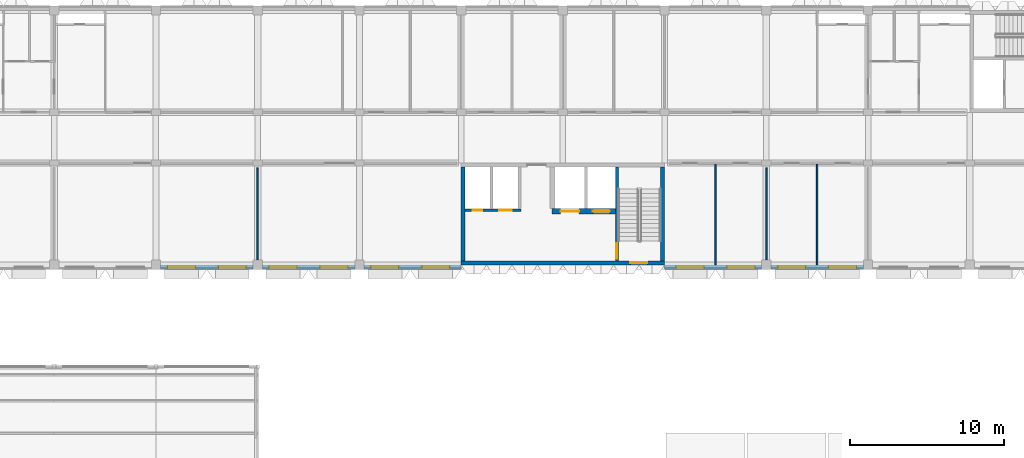
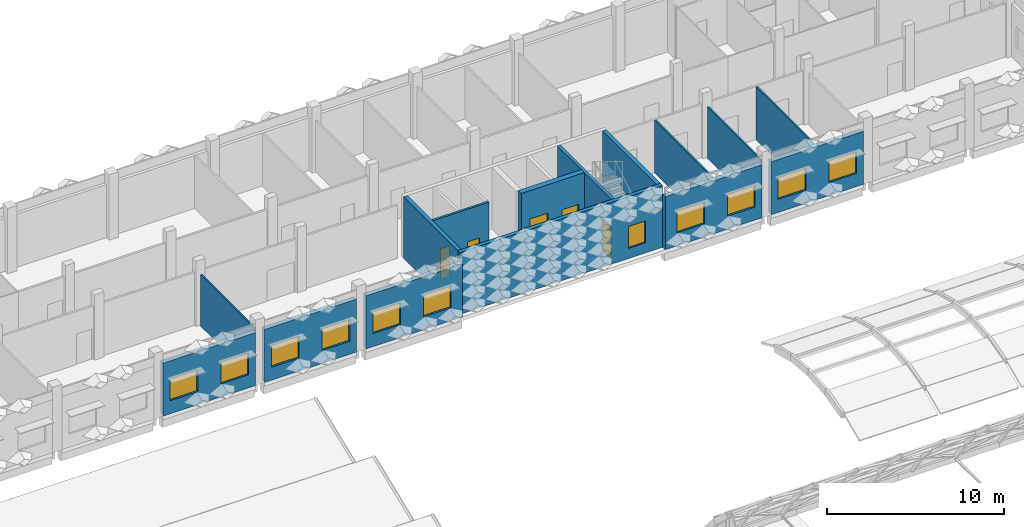
# One storey, part 57 of 109: 15 walls, 11 windows, 5 doors, 16 openings.
"""IFC4 building model written with IfcOpenShell, lengths in metres."""

import ifcopenshell
import ifcopenshell.guid

model = None  # the IFC model being written
_history = None  # IfcOwnerHistory: only IFC2X3 demands one
_inside = {}  # id of a spatial element -> (the spatial element, [elements in it])
_under = {}  # id of a project, library or spatial element -> (it, [spatial elements below it])
_declared = {}  # id of a project -> (the project, [libraries it declares])
_typed = {}  # id of a type object -> (the type object, [elements of that type])
_made_of = {}  # id of a material, layer set ... -> (it, [elements and type objects made of it])


def new_model(schema):
    """Start an empty IFC model of exactly this schema.

    Asked for "IFC4X3", IfcOpenShell would pick the latest addendum, in which some entities
    have other attributes; the version numbers below select the first issue.
    IFC2X3 requires an IfcOwnerHistory on every rooted entity: one is made here for all.
    """
    global model, _history
    if schema == "IFC4X3":
        model = ifcopenshell.file(schema_version=(4, 3, 0, 0))
    else:
        model = ifcopenshell.file(schema=schema)
    _inside.clear()
    _under.clear()
    _declared.clear()
    _typed.clear()
    _made_of.clear()
    _history = None
    if model.schema == "IFC2X3":
        org = make("IfcOrganization", Name="unknown")
        user = make(
            "IfcPersonAndOrganization",
            ThePerson=make("IfcPerson", FamilyName="unknown"),
            TheOrganization=org,
        )
        app = make(
            "IfcApplication",
            ApplicationDeveloper=org,
            Version="unknown",
            ApplicationFullName="unknown",
            ApplicationIdentifier="unknown",
        )
        _history = make(
            "IfcOwnerHistory",
            OwningUser=user,
            OwningApplication=app,
            ChangeAction="ADDED",
            CreationDate=0,
        )
    return model


def make(cls, **values):
    """One entity of the class cls with the attributes given. An attribute that is None is left unset."""
    return model.create_entity(
        cls, **{name: value for name, value in values.items() if value is not None}
    )


def rooted(cls, **values):
    """An entity with a GlobalId (a new one), such as an element, a storey or a relation."""
    return make(cls, GlobalId=ifcopenshell.guid.new(), OwnerHistory=_history, **values)


def si_unit(unit_type, name, prefix=None):
    """IfcSIUnit, for example si_unit("LENGTHUNIT", "METRE", prefix="MILLI")."""
    return make("IfcSIUnit", UnitType=unit_type, Prefix=prefix, Name=name)


def assignment(units):
    """IfcUnitAssignment: the units of a project."""
    return None if units is None else make("IfcUnitAssignment", Units=units)


def point(xyz):
    """IfcCartesianPoint."""
    return None if xyz is None else make("IfcCartesianPoint", Coordinates=xyz)


def direction(xyz):
    """IfcDirection."""
    return None if xyz is None else make("IfcDirection", DirectionRatios=xyz)


def frame(location, z_axis=None, x_axis=None):
    """IfcAxis2Placement3D, a coordinate frame: its origin and axes. An axis left out is left unset."""
    return make(
        "IfcAxis2Placement3D",
        Location=point(location),
        Axis=direction(z_axis),
        RefDirection=direction(x_axis),
    )


def frame_2d(location, x_axis=None):
    """IfcAxis2Placement2D, a coordinate frame in the plane: its origin and x axis."""
    return make(
        "IfcAxis2Placement2D", Location=point(location), RefDirection=direction(x_axis)
    )


def origin():
    """The frame at (0, 0, 0) with its axes left unset."""
    return frame((0.0, 0.0, 0.0))


def place(relative_to, where):
    """IfcLocalPlacement: puts the frame where relative to a parent placement (None: the world)."""
    return make(
        "IfcLocalPlacement", PlacementRelTo=relative_to, RelativePlacement=where
    )


def context(
    kind, dimensions, precision=None, world=None, true_north=None, identifier=None
):
    """IfcGeometricRepresentationContext, for example the 3D "Model" context."""
    return make(
        "IfcGeometricRepresentationContext",
        ContextIdentifier=identifier,
        ContextType=kind,
        CoordinateSpaceDimension=dimensions,
        Precision=precision,
        WorldCoordinateSystem=world,
        TrueNorth=true_north,
    )


def subcontext(parent, identifier, kind, view, scale=None):
    """IfcGeometricRepresentationSubContext, for example "Body" below "Model"."""
    return make(
        "IfcGeometricRepresentationSubContext",
        ContextIdentifier=identifier,
        ContextType=kind,
        ParentContext=parent,
        TargetScale=scale,
        TargetView=view,
    )


def project(units=None, contexts=None):
    """IfcProject with its units and contexts."""
    return rooted(
        "IfcProject",
        Name="project",
        RepresentationContexts=contexts,
        UnitsInContext=assignment(units),
    )


def spatial(cls, under=None, at=None, **own):
    """A site, building, storey or space (cls), placed at a placement, below another one or the project."""
    s = rooted(cls, ObjectPlacement=at, **own)
    if under is not None:
        _under.setdefault(under.id(), (under, []))[1].append(s)
    return s


def profile(cls, at=None, kind="AREA", **sizes):
    """A parametric profile (cls). Its sizes go by their IFC names, for example OverallWidth=200.0."""
    return make(cls, ProfileType=kind, Position=at, **sizes)


def rectangle(**sizes):
    """IfcRectangleProfileDef."""
    return profile("IfcRectangleProfileDef", **sizes)


def extrude(swept, where, along, depth):
    """IfcExtrudedAreaSolid: the profile swept, set in the frame where, extruded along a direction by depth."""
    return make(
        "IfcExtrudedAreaSolid",
        SweptArea=swept,
        Position=where,
        ExtrudedDirection=direction(along),
        Depth=depth,
    )


def shape(context_of_items, identifier, shape_type, items):
    """IfcShapeRepresentation: the items that make up one representation, for example the "Body"."""
    return make(
        "IfcShapeRepresentation",
        ContextOfItems=context_of_items,
        RepresentationIdentifier=identifier,
        RepresentationType=shape_type,
        Items=items,
    )


def material(Name=None, Category=None):
    """IfcMaterial."""
    return make("IfcMaterial", Name=Name, Category=Category)


def layer(
    of_material, thickness, ventilated=None, Name=None, Category=None, Priority=None
):
    """IfcMaterialLayer: one layer of a wall or slab, of a material (None: an air gap)."""
    return make(
        "IfcMaterialLayer",
        Material=of_material,
        LayerThickness=thickness,
        IsVentilated=ventilated,
        Name=Name,
        Category=Category,
        Priority=Priority,
    )


def layer_set(layers, Name=None):
    """IfcMaterialLayerSet."""
    return make("IfcMaterialLayerSet", MaterialLayers=layers, LayerSetName=Name)


def made_of(thing, what):
    """Note that an element or type object is made of a material, layer set ...; save() writes the relation."""
    if what is not None:
        _made_of.setdefault(what.id(), (what, []))[1].append(thing)
    return thing


def type_object(cls, material=None, **own):
    """A type object (cls), such as IfcWallType, which elements share."""
    return made_of(rooted(cls, **own), material)


def element(
    cls,
    number,
    at=None,
    inside=None,
    cuts=None,
    type_object=None,
    material=None,
    context=None,
    identifier="Body",
    shape_type=None,
    held_by="IfcProductDefinitionShape",
    body=None,
    shapes=None,
    **own,
):
    """One element of the class cls, such as IfcWall. Its Tag is "e" and its number.

    at: its placement. inside: the storey or other place that contains it. cuts: it is an
    opening in that element (IfcRelVoidsElement). A single representation is given by context,
    identifier, shape_type and body (its items); several are given by shapes. held_by: the class
    of the entity that holds the representations. save() writes the other relations.
    """
    e = rooted(cls, Tag="e%d" % number, ObjectPlacement=at, **own)
    if body is not None:
        shapes = [shape(context, identifier, shape_type, body)]
    if shapes is not None:
        e.Representation = make(held_by, Representations=shapes)
    if inside is not None:
        _inside.setdefault(inside.id(), (inside, []))[1].append(e)
    if cuts is not None:
        rooted(
            "IfcRelVoidsElement", RelatingBuildingElement=cuts, RelatedOpeningElement=e
        )
    if type_object is not None:
        _typed.setdefault(type_object.id(), (type_object, []))[1].append(e)
    return made_of(e, material)


def fill(opening, filler):
    """IfcRelFillsElement: the door or window that sits in an opening."""
    return rooted(
        "IfcRelFillsElement",
        RelatingOpeningElement=opening,
        RelatedBuildingElement=filler,
    )


def aggregate(whole, parts):
    """IfcRelAggregates: a whole, such as a stair, and the parts it consists of."""
    return rooted("IfcRelAggregates", RelatingObject=whole, RelatedObjects=parts)


def save(model, path):
    """Write the relations noted so far, then the file.

    IfcRelAggregates (storeys below a building ...), IfcRelContainedInSpatialStructure (elements
    in a storey), IfcRelDefinesByType, IfcRelAssociatesMaterial and IfcRelDeclares: one each for
    every whole, place, type object, material and project.
    """
    for whole, parts in _under.values():
        aggregate(whole, parts)
    for where, things in _inside.values():
        rooted(
            "IfcRelContainedInSpatialStructure",
            RelatedElements=things,
            RelatingStructure=where,
        )
    for kind, things in _typed.values():
        rooted("IfcRelDefinesByType", RelatedObjects=things, RelatingType=kind)
    for what, things in _made_of.values():
        rooted("IfcRelAssociatesMaterial", RelatedObjects=things, RelatingMaterial=what)
    for by, libraries in _declared.values():
        rooted("IfcRelDeclares", RelatingContext=by, RelatedDefinitions=libraries)
    model.write(path)


model = new_model("IFC4")

# Units and contexts
model_context = context("Model", 3, precision=1e-05, world=origin(), true_north=direction((0.0, 1.0)))
body_context = subcontext(model_context, "Body", "Model", "MODEL_VIEW")
ifc_project = project(units=[si_unit("LENGTHUNIT", "METRE"), si_unit("AREAUNIT", "SQUARE_METRE"), si_unit("VOLUMEUNIT", "CUBIC_METRE"), si_unit("PLANEANGLEUNIT", "RADIAN"), si_unit("MASSUNIT", "GRAM", prefix="KILO")], contexts=[model_context])

# Site, building, storey
site_placement = place(None, origin())
site = spatial("IfcSite", under=ifc_project, at=site_placement, CompositionType="ELEMENT")
building_placement = place(site_placement, origin())
building = spatial("IfcBuilding", under=site, at=building_placement, Name="Lantern Court Research Institute", CompositionType="ELEMENT")
storey_placement = place(building_placement, frame((0.0, 0.0, 14.39990234375)))
storey = spatial("IfcBuildingStorey", under=building, at=storey_placement, Name="L03", CompositionType="ELEMENT", Elevation=14.39990234375)

# Wall, openings, windows
ifc_material_1 = material(Name="Concrete C30/37", Category="concrete")
ifc_layer_1 = layer(ifc_material_1, 0.300048828125)
ifc_layer_set_1 = layer_set([ifc_layer_1], Name="Concrete C30/37")
wall_type_1 = type_object("IfcWallType", Name="Insulated concrete infill wall 300", PredefinedType="STANDARD", material=ifc_layer_set_1)
wall_1_placement = place(storey_placement, frame((26.10009765625, 82.35009765625, 0.0), z_axis=(0.0, 0.0, 1.0), x_axis=(-1.0, 0.0, 0.0)))
wall_1 = element("IfcWall", 1, at=wall_1_placement, inside=storey, type_object=wall_type_1, Name="Exterior wall EW194", PredefinedType="STANDARD", context=body_context, shape_type="SweptSolid", body=[
    extrude(rectangle(XDim=6.0, YDim=0.300048828125, at=frame_2d((3.0, 0.0))), origin(), (0.0, 0.0, 1.0), 3.650146484375),
])
opening_1_placement = place(wall_1_placement, frame((3.75, 0.0, 0.89990234375)))
opening_1 = element("IfcOpeningElement", 2, at=opening_1_placement, cuts=wall_1, Name="Opening W14", PredefinedType="OPENING", context=body_context, shape_type="SweptSolid", body=[
    extrude(rectangle(XDim=1.800048828125, YDim=1.5, at=frame_2d((0.89990234375, 0.75))), frame((0.0, 0.159912109375, 0.0), z_axis=(0.0, -1.0, 0.0), x_axis=(1.0, 0.0, 0.0)), (0.0, 0.0, 1.0), 0.320068359375),
])
opening_2_placement = place(wall_1_placement, frame((0.449951171875, 0.0, 0.89990234375)))
opening_2 = element("IfcOpeningElement", 3, at=opening_2_placement, cuts=wall_1, Name="Opening W14", PredefinedType="OPENING", context=body_context, shape_type="SweptSolid", body=[
    extrude(rectangle(XDim=1.800048828125, YDim=1.5, at=frame_2d((0.89990234375, 0.75))), frame((0.0, 0.159912109375, 0.0), z_axis=(0.0, -1.0, 0.0), x_axis=(1.0, 0.0, 0.0)), (0.0, 0.0, 1.0), 0.320068359375),
])
ifc_material_2 = material(Name="Aluminium frame with laminated low-emissivity glazing", Category="aluminium")
window_type_1 = type_object("IfcWindowType", Name="Office window 1800 x 1500", PartitioningType="SINGLE_PANEL", PredefinedType="WINDOW", material=ifc_material_2)
window_1_placement = place(opening_1_placement, origin())
window_1 = element("IfcWindow", 4, at=window_1_placement, inside=storey, type_object=window_type_1, Name="Window W14 V6S L03", OverallHeight=1.5, OverallWidth=1.800048828125, PartitioningType="SINGLE_PANEL", PredefinedType="WINDOW", context=body_context, shape_type="SweptSolid", body=[
    extrude(rectangle(XDim=1.800048828125, YDim=1.5, at=frame_2d((0.89990234375, 0.75))), frame((0.0, 0.030029296875, 0.0), z_axis=(0.0, -1.0, 0.0), x_axis=(1.0, 0.0, 0.0)), (0.0, 0.0, 1.0), 0.06005859375),
])
fill(opening_1, window_1)
window_2_placement = place(opening_2_placement, origin())
window_2 = element("IfcWindow", 5, at=window_2_placement, inside=storey, type_object=window_type_1, Name="Window W14 V6S L03", OverallHeight=1.5, OverallWidth=1.800048828125, PartitioningType="SINGLE_PANEL", PredefinedType="WINDOW", context=body_context, shape_type="SweptSolid", body=[
    extrude(rectangle(XDim=1.800048828125, YDim=1.5, at=frame_2d((0.89990234375, 0.75))), frame((0.0, 0.030029296875, 0.0), z_axis=(0.0, -1.0, 0.0), x_axis=(1.0, 0.0, 0.0)), (0.0, 0.0, 1.0), 0.06005859375),
])
fill(opening_2, window_2)

wall_2_placement = place(storey_placement, frame((32.699951171875, 82.35009765625, 0.0), z_axis=(0.0, 0.0, 1.0), x_axis=(-1.0, 0.0, 0.0)))
wall_2 = element("IfcWall", 6, at=wall_2_placement, inside=storey, type_object=wall_type_1, Name="Exterior wall EW195", PredefinedType="STANDARD", context=body_context, shape_type="SweptSolid", body=[
    extrude(rectangle(XDim=6.0, YDim=0.300048828125, at=frame_2d((3.0, 0.0))), origin(), (0.0, 0.0, 1.0), 3.650146484375),
])
opening_3_placement = place(wall_2_placement, frame((3.75, 0.0, 0.89990234375)))
opening_3 = element("IfcOpeningElement", 7, at=opening_3_placement, cuts=wall_2, Name="Opening W14", PredefinedType="OPENING", context=body_context, shape_type="SweptSolid", body=[
    extrude(rectangle(XDim=1.800048828125, YDim=1.5, at=frame_2d((0.89990234375, 0.75))), frame((0.0, 0.159912109375, 0.0), z_axis=(0.0, -1.0, 0.0), x_axis=(1.0, 0.0, 0.0)), (0.0, 0.0, 1.0), 0.320068359375),
])
opening_4_placement = place(wall_2_placement, frame((0.449951171875, 0.0, 0.89990234375)))
opening_4 = element("IfcOpeningElement", 8, at=opening_4_placement, cuts=wall_2, Name="Opening W14", PredefinedType="OPENING", context=body_context, shape_type="SweptSolid", body=[
    extrude(rectangle(XDim=1.800048828125, YDim=1.5, at=frame_2d((0.89990234375, 0.75))), frame((0.0, 0.159912109375, 0.0), z_axis=(0.0, -1.0, 0.0), x_axis=(1.0, 0.0, 0.0)), (0.0, 0.0, 1.0), 0.320068359375),
])
window_3_placement = place(opening_3_placement, origin())
window_3 = element("IfcWindow", 9, at=window_3_placement, inside=storey, type_object=window_type_1, Name="Window W14 V6S L03", OverallHeight=1.5, OverallWidth=1.800048828125, PartitioningType="SINGLE_PANEL", PredefinedType="WINDOW", context=body_context, shape_type="SweptSolid", body=[
    extrude(rectangle(XDim=1.800048828125, YDim=1.5, at=frame_2d((0.89990234375, 0.75))), frame((0.0, 0.030029296875, 0.0), z_axis=(0.0, -1.0, 0.0), x_axis=(1.0, 0.0, 0.0)), (0.0, 0.0, 1.0), 0.06005859375),
])
fill(opening_3, window_3)
window_4_placement = place(opening_4_placement, origin())
window_4 = element("IfcWindow", 10, at=window_4_placement, inside=storey, type_object=window_type_1, Name="Window W14 V6S L03", OverallHeight=1.5, OverallWidth=1.800048828125, PartitioningType="SINGLE_PANEL", PredefinedType="WINDOW", context=body_context, shape_type="SweptSolid", body=[
    extrude(rectangle(XDim=1.800048828125, YDim=1.5, at=frame_2d((0.89990234375, 0.75))), frame((0.0, 0.030029296875, 0.0), z_axis=(0.0, -1.0, 0.0), x_axis=(1.0, 0.0, 0.0)), (0.0, 0.0, 1.0), 0.06005859375),
])
fill(opening_4, window_4)

wall_3_placement = place(storey_placement, frame((39.60009765625, 82.35009765625, 0.0), z_axis=(0.0, 0.0, 1.0), x_axis=(-1.0, 0.0, 0.0)))
wall_3 = element("IfcWall", 11, at=wall_3_placement, inside=storey, type_object=wall_type_1, Name="Exterior wall EW196", PredefinedType="STANDARD", context=body_context, shape_type="SweptSolid", body=[
    extrude(rectangle(XDim=6.300048828125, YDim=0.300048828125, at=frame_2d((3.14990234375, 0.0))), origin(), (0.0, 0.0, 1.0), 3.650146484375),
])
opening_5_placement = place(wall_3_placement, frame((4.050048828125, 0.0, 0.89990234375)))
opening_5 = element("IfcOpeningElement", 12, at=opening_5_placement, cuts=wall_3, Name="Opening W14", PredefinedType="OPENING", context=body_context, shape_type="SweptSolid", body=[
    extrude(rectangle(XDim=1.800048828125, YDim=1.5, at=frame_2d((0.89990234375, 0.75))), frame((0.0, 0.159912109375, 0.0), z_axis=(0.0, -1.0, 0.0), x_axis=(1.0, 0.0, 0.0)), (0.0, 0.0, 1.0), 0.320068359375),
])
opening_6_placement = place(wall_3_placement, frame((0.75, 0.0, 0.89990234375)))
opening_6 = element("IfcOpeningElement", 13, at=opening_6_placement, cuts=wall_3, Name="Opening W14", PredefinedType="OPENING", context=body_context, shape_type="SweptSolid", body=[
    extrude(rectangle(XDim=1.800048828125, YDim=1.5, at=frame_2d((0.89990234375, 0.75))), frame((0.0, 0.159912109375, 0.0), z_axis=(0.0, -1.0, 0.0), x_axis=(1.0, 0.0, 0.0)), (0.0, 0.0, 1.0), 0.320068359375),
])
window_5_placement = place(opening_5_placement, origin())
window_5 = element("IfcWindow", 14, at=window_5_placement, inside=storey, type_object=window_type_1, Name="Window W14 V6S L03", OverallHeight=1.5, OverallWidth=1.800048828125, PartitioningType="SINGLE_PANEL", PredefinedType="WINDOW", context=body_context, shape_type="SweptSolid", body=[
    extrude(rectangle(XDim=1.800048828125, YDim=1.5, at=frame_2d((0.89990234375, 0.75))), frame((0.0, 0.030029296875, 0.0), z_axis=(0.0, -1.0, 0.0), x_axis=(1.0, 0.0, 0.0)), (0.0, 0.0, 1.0), 0.06005859375),
])
fill(opening_5, window_5)
window_6_placement = place(opening_6_placement, origin())
window_6 = element("IfcWindow", 15, at=window_6_placement, inside=storey, type_object=window_type_1, Name="Window W14 V6S L03", OverallHeight=1.5, OverallWidth=1.800048828125, PartitioningType="SINGLE_PANEL", PredefinedType="WINDOW", context=body_context, shape_type="SweptSolid", body=[
    extrude(rectangle(XDim=1.800048828125, YDim=1.5, at=frame_2d((0.89990234375, 0.75))), frame((0.0, 0.030029296875, 0.0), z_axis=(0.0, -1.0, 0.0), x_axis=(1.0, 0.0, 0.0)), (0.0, 0.0, 1.0), 0.06005859375),
])
fill(opening_6, window_6)

wall_4_placement = place(storey_placement, frame((59.10009765625, 82.35009765625, 0.0), z_axis=(0.0, 0.0, 1.0), x_axis=(-1.0, 0.0, 0.0)))
wall_4 = element("IfcWall", 16, at=wall_4_placement, inside=storey, type_object=wall_type_1, Name="Exterior wall EW197", PredefinedType="STANDARD", context=body_context, shape_type="SweptSolid", body=[
    extrude(rectangle(XDim=6.300048828125, YDim=0.300048828125, at=frame_2d((3.14990234375, 0.0))), origin(), (0.0, 0.0, 1.0), 3.650146484375),
])
opening_7_placement = place(wall_4_placement, frame((3.75, 0.0, 0.89990234375)))
opening_7 = element("IfcOpeningElement", 17, at=opening_7_placement, cuts=wall_4, Name="Opening W14", PredefinedType="OPENING", context=body_context, shape_type="SweptSolid", body=[
    extrude(rectangle(XDim=1.800048828125, YDim=1.5, at=frame_2d((0.89990234375, 0.75))), frame((0.0, 0.159912109375, 0.0), z_axis=(0.0, -1.0, 0.0), x_axis=(1.0, 0.0, 0.0)), (0.0, 0.0, 1.0), 0.320068359375),
])
opening_8_placement = place(wall_4_placement, frame((0.449951171875, 0.0, 0.89990234375)))
opening_8 = element("IfcOpeningElement", 18, at=opening_8_placement, cuts=wall_4, Name="Opening W14", PredefinedType="OPENING", context=body_context, shape_type="SweptSolid", body=[
    extrude(rectangle(XDim=1.800048828125, YDim=1.5, at=frame_2d((0.89990234375, 0.75))), frame((0.0, 0.159912109375, 0.0), z_axis=(0.0, -1.0, 0.0), x_axis=(1.0, 0.0, 0.0)), (0.0, 0.0, 1.0), 0.320068359375),
])
window_7_placement = place(opening_7_placement, origin())
window_7 = element("IfcWindow", 19, at=window_7_placement, inside=storey, type_object=window_type_1, Name="Window W14 V6S L03", OverallHeight=1.5, OverallWidth=1.800048828125, PartitioningType="SINGLE_PANEL", PredefinedType="WINDOW", context=body_context, shape_type="SweptSolid", body=[
    extrude(rectangle(XDim=1.800048828125, YDim=1.5, at=frame_2d((0.89990234375, 0.75))), frame((0.0, 0.030029296875, 0.0), z_axis=(0.0, -1.0, 0.0), x_axis=(1.0, 0.0, 0.0)), (0.0, 0.0, 1.0), 0.06005859375),
])
fill(opening_7, window_7)
window_8_placement = place(opening_8_placement, origin())
window_8 = element("IfcWindow", 20, at=window_8_placement, inside=storey, type_object=window_type_1, Name="Window W14 V6S L03", OverallHeight=1.5, OverallWidth=1.800048828125, PartitioningType="SINGLE_PANEL", PredefinedType="WINDOW", context=body_context, shape_type="SweptSolid", body=[
    extrude(rectangle(XDim=1.800048828125, YDim=1.5, at=frame_2d((0.89990234375, 0.75))), frame((0.0, 0.030029296875, 0.0), z_axis=(0.0, -1.0, 0.0), x_axis=(1.0, 0.0, 0.0)), (0.0, 0.0, 1.0), 0.06005859375),
])
fill(opening_8, window_8)

wall_5_placement = place(storey_placement, frame((65.699951171875, 82.35009765625, 0.0), z_axis=(0.0, 0.0, 1.0), x_axis=(-1.0, 0.0, 0.0)))
wall_5 = element("IfcWall", 21, at=wall_5_placement, inside=storey, type_object=wall_type_1, Name="Exterior wall EW198", PredefinedType="STANDARD", context=body_context, shape_type="SweptSolid", body=[
    extrude(rectangle(XDim=6.0, YDim=0.300048828125, at=frame_2d((3.0, 0.0))), origin(), (0.0, 0.0, 1.0), 3.650146484375),
])
opening_9_placement = place(wall_5_placement, frame((3.75, 0.0, 0.89990234375)))
opening_9 = element("IfcOpeningElement", 22, at=opening_9_placement, cuts=wall_5, Name="Opening W14", PredefinedType="OPENING", context=body_context, shape_type="SweptSolid", body=[
    extrude(rectangle(XDim=1.800048828125, YDim=1.5, at=frame_2d((0.89990234375, 0.75))), frame((0.0, 0.159912109375, 0.0), z_axis=(0.0, -1.0, 0.0), x_axis=(1.0, 0.0, 0.0)), (0.0, 0.0, 1.0), 0.320068359375),
])
opening_10_placement = place(wall_5_placement, frame((0.449951171875, 0.0, 0.89990234375)))
opening_10 = element("IfcOpeningElement", 23, at=opening_10_placement, cuts=wall_5, Name="Opening W14", PredefinedType="OPENING", context=body_context, shape_type="SweptSolid", body=[
    extrude(rectangle(XDim=1.800048828125, YDim=1.5, at=frame_2d((0.89990234375, 0.75))), frame((0.0, 0.159912109375, 0.0), z_axis=(0.0, -1.0, 0.0), x_axis=(1.0, 0.0, 0.0)), (0.0, 0.0, 1.0), 0.320068359375),
])
window_9_placement = place(opening_9_placement, origin())
window_9 = element("IfcWindow", 24, at=window_9_placement, inside=storey, type_object=window_type_1, Name="Window W14 V6S L03", OverallHeight=1.5, OverallWidth=1.800048828125, PartitioningType="SINGLE_PANEL", PredefinedType="WINDOW", context=body_context, shape_type="SweptSolid", body=[
    extrude(rectangle(XDim=1.800048828125, YDim=1.5, at=frame_2d((0.89990234375, 0.75))), frame((0.0, 0.030029296875, 0.0), z_axis=(0.0, -1.0, 0.0), x_axis=(1.0, 0.0, 0.0)), (0.0, 0.0, 1.0), 0.06005859375),
])
fill(opening_9, window_9)
window_10_placement = place(opening_10_placement, origin())
window_10 = element("IfcWindow", 25, at=window_10_placement, inside=storey, type_object=window_type_1, Name="Window W14 V6S L03", OverallHeight=1.5, OverallWidth=1.800048828125, PartitioningType="SINGLE_PANEL", PredefinedType="WINDOW", context=body_context, shape_type="SweptSolid", body=[
    extrude(rectangle(XDim=1.800048828125, YDim=1.5, at=frame_2d((0.89990234375, 0.75))), frame((0.0, 0.030029296875, 0.0), z_axis=(0.0, -1.0, 0.0), x_axis=(1.0, 0.0, 0.0)), (0.0, 0.0, 1.0), 0.06005859375),
])
fill(opening_10, window_10)

# Walls
ifc_material_3 = material(Name="Gypsum board on metal studs")
ifc_layer_2 = layer(ifc_material_3, 0.10009765625)
ifc_layer_set_2 = layer_set([ifc_layer_2], Name="Gypsum board on metal studs")
wall_type_2 = type_object("IfcWallType", Name="Partition 100 mm", PredefinedType="PARTITIONING", material=ifc_layer_set_2)
wall_6_placement = place(storey_placement, frame((26.39990234375, 82.800048828125, 0.0), z_axis=(0.0, 0.0, 1.0), x_axis=(0.0, 1.0, 0.0)))
element("IfcWall", 26, at=wall_6_placement, inside=storey, type_object=wall_type_2, Name="Wall V6-L03-039", PredefinedType="PARTITIONING", context=body_context, shape_type="SweptSolid", body=[
    extrude(rectangle(XDim=6.0, YDim=0.10009765625, at=frame_2d((3.0, 0.0))), origin(), (0.0, 0.0, 1.0), 3.550048828125),
])
wall_7_placement = place(storey_placement, frame((56.10009765625, 82.5, 0.0), z_axis=(0.0, 0.0, 1.0), x_axis=(0.0, 1.0, 0.0)))
element("IfcWall", 27, at=wall_7_placement, inside=storey, type_object=wall_type_2, Name="Wall V6-L03-047", PredefinedType="PARTITIONING", context=body_context, shape_type="SweptSolid", body=[
    extrude(rectangle(XDim=6.537109375, YDim=0.10009765625, at=frame_2d((3.2685546875, 0.0))), origin(), (0.0, 0.0, 1.0), 3.650146484375),
])
wall_8_placement = place(storey_placement, frame((59.39990234375, 82.800048828125, 0.0), z_axis=(0.0, 0.0, 1.0), x_axis=(0.0, 1.0, 0.0)))
element("IfcWall", 28, at=wall_8_placement, inside=storey, type_object=wall_type_2, Name="Wall V6-L03-048", PredefinedType="PARTITIONING", context=body_context, shape_type="SweptSolid", body=[
    extrude(rectangle(XDim=6.0, YDim=0.10009765625, at=frame_2d((3.0, 0.0))), origin(), (0.0, 0.0, 1.0), 3.550048828125),
])
wall_9_placement = place(storey_placement, frame((62.699951171875, 82.5, 0.0), z_axis=(0.0, 0.0, 1.0), x_axis=(0.0, 1.0, 0.0)))
element("IfcWall", 29, at=wall_9_placement, inside=storey, type_object=wall_type_2, Name="Wall V6-L03-049", PredefinedType="PARTITIONING", context=body_context, shape_type="SweptSolid", body=[
    extrude(rectangle(XDim=6.537109375, YDim=0.10009765625, at=frame_2d((3.2685546875, 0.0))), origin(), (0.0, 0.0, 1.0), 3.650146484375),
])
ifc_material_4 = material(Name="Concrete C40/50", Category="concrete")
ifc_layer_3 = layer(ifc_material_4, 0.25)
ifc_layer_set_3 = layer_set([ifc_layer_3], Name="Concrete C40/50")
wall_type_3 = type_object("IfcWallType", Name="RC core wall 250", PredefinedType="SHEAR", material=ifc_layer_set_3)
for number, where, z_axis, x_axis, name in (
    (30, (52.675048828125, 88.85009765625, 0.0), (0.0, 0.0, 1.0), (0.0, -1.0, 0.0), "East wall of core WC-M"),
    (31, (39.72509765625, 88.85009765625, 0.0), (0.0, 0.0, 1.0), (0.0, -1.0, 0.0), "West wall of core WC-M"),
):
    element("IfcWall", number, at=place(storey_placement, frame(where, z_axis=z_axis, x_axis=x_axis)), inside=storey, type_object=wall_type_3, Name=name, PredefinedType="SHEAR", context=body_context, shape_type="SweptSolid", body=[
        extrude(rectangle(XDim=6.10009765625, YDim=0.25, at=frame_2d((3.050048828125, 0.0))), origin(), (0.0, 0.0, 1.0), 4.25),
    ])

# Wall, opening, window
ifc_material_5 = material(Name="Concrete C40/50", Category="concrete")
ifc_layer_4 = layer(ifc_material_5, 0.25)
ifc_layer_set_4 = layer_set([ifc_layer_4], Name="Concrete C40/50")
wall_type_4 = type_object("IfcWallType", Name="RC core wall 250 facade", PredefinedType="SHEAR", material=ifc_layer_set_4)
wall_10_placement = place(storey_placement, frame((52.800048828125, 82.625, 0.0), z_axis=(0.0, 0.0, 1.0), x_axis=(-1.0, 0.0, 0.0)))
wall_10 = element("IfcWall", 32, at=wall_10_placement, inside=storey, type_object=wall_type_4, Name="South wall of core WC-M", PredefinedType="SHEAR", context=body_context, shape_type="SweptSolid", body=[
    extrude(rectangle(XDim=13.199951171875, YDim=0.25, at=frame_2d((6.60009765625, 0.0))), origin(), (0.0, 0.0, 1.0), 4.25),
])
opening_11_placement = place(wall_10_placement, frame((1.125, 0.0, 0.699951171875)))
opening_11 = element("IfcOpeningElement", 33, at=opening_11_placement, cuts=wall_10, Name="Opening W5", PredefinedType="OPENING", context=body_context, shape_type="SweptSolid", body=[
    extrude(rectangle(XDim=1.10009765625, YDim=1.5, at=frame_2d((0.550048828125, 0.75))), frame((0.0, 0.135009765625, 0.0), z_axis=(0.0, -1.0, 0.0), x_axis=(1.0, 0.0, 0.0)), (0.0, 0.0, 1.0), 0.27001953125),
])
ifc_material_6 = material(Name="Aluminium alloy 6063-T6 frame with laminated glass", Category="aluminium")
window_type_2 = type_object("IfcWindowType", Name="Stair window 1100 x 1500", PartitioningType="SINGLE_PANEL", PredefinedType="WINDOW", material=ifc_material_6)
window_11_placement = place(opening_11_placement, origin())
window_11 = element("IfcWindow", 34, at=window_11_placement, inside=storey, type_object=window_type_2, Name="Stair window", OverallHeight=1.5, OverallWidth=1.10009765625, PartitioningType="SINGLE_PANEL", PredefinedType="WINDOW", context=body_context, shape_type="SweptSolid", body=[
    extrude(rectangle(XDim=1.10009765625, YDim=1.5, at=frame_2d((0.550048828125, 0.75))), frame((0.0, 0.030029296875, 0.0), z_axis=(0.0, -1.0, 0.0), x_axis=(1.0, 0.0, 0.0)), (0.0, 0.0, 1.0), 0.06005859375),
])
fill(opening_11, window_11)

# Wall, openings, doors
ifc_material_7 = material(Name="Concrete C40/50", Category="concrete")
ifc_layer_5 = layer(ifc_material_7, 0.14990234375)
ifc_layer_set_5 = layer_set([ifc_layer_5], Name="Concrete C40/50")
wall_type_5 = type_object("IfcWallType", Name="RC shaft wall 150", PredefinedType="SHEAR", material=ifc_layer_set_5)
wall_11_placement = place(storey_placement, frame((43.5, 86.050048828125, 0.0), z_axis=(0.0, 0.0, 1.0), x_axis=(-1.0, 0.0, 0.0)))
wall_11 = element("IfcWall", 35, at=wall_11_placement, inside=storey, type_object=wall_type_5, Name="Riser wall of core WC-M", PredefinedType="SHEAR", context=body_context, shape_type="SweptSolid", body=[
    extrude(rectangle(XDim=3.64990234375, YDim=0.14990234375, at=frame_2d((1.824951171875, 0.0))), origin(), (0.0, 0.0, 1.0), 4.25),
])
opening_12_placement = place(wall_11_placement, frame((0.612548828125, 0.0, 0.0)))
opening_12 = element("IfcOpeningElement", 36, at=opening_12_placement, cuts=wall_11, Name="Opening D7243", PredefinedType="OPENING", context=body_context, shape_type="SweptSolid", body=[
    extrude(rectangle(XDim=0.800048828125, YDim=2.0, at=frame_2d((0.39990234375, 1.0))), frame((0.0, 0.0849609375, 0.0), z_axis=(0.0, -1.0, 0.0), x_axis=(1.0, 0.0, 0.0)), (0.0, 0.0, 1.0), 0.169921875),
])
opening_13_placement = place(wall_11_placement, frame((2.53759765625, 0.0, 0.0)))
opening_13 = element("IfcOpeningElement", 37, at=opening_13_placement, cuts=wall_11, Name="Opening D7244", PredefinedType="OPENING", context=body_context, shape_type="SweptSolid", body=[
    extrude(rectangle(XDim=0.60009765625, YDim=2.10009765625, at=frame_2d((0.300048828125, 1.050048828125))), frame((0.0, 0.0849609375, 0.0), z_axis=(0.0, -1.0, 0.0), x_axis=(1.0, 0.0, 0.0)), (0.0, 0.0, 1.0), 0.169921875),
])
ifc_material_8 = material(Name="Steel fire door leaf", Category="steel")
door_type_1 = type_object("IfcDoorType", Name="Door 600 x 2100 fire rated FD60", OperationType="NOTDEFINED", PredefinedType="DOOR", material=ifc_material_8)
door_1_placement = place(opening_13_placement, origin())
door_1 = element("IfcDoor", 38, at=door_1_placement, inside=storey, type_object=door_type_1, Name="Riser door", OperationType="SINGLE_SWING_RIGHT", OverallHeight=2.10009765625, OverallWidth=0.60009765625, PredefinedType="DOOR", context=body_context, shape_type="SweptSolid", body=[
    extrude(rectangle(XDim=0.60009765625, YDim=2.10009765625, at=frame_2d((0.300048828125, 1.050048828125))), frame((0.0, 0.02490234375, 0.0), z_axis=(0.0, -1.0, 0.0), x_axis=(1.0, 0.0, 0.0)), (0.0, 0.0, 1.0), 0.050048828125),
])
fill(opening_13, door_1)
ifc_material_9 = material(Name="Steel fire door leaf", Category="steel")
door_type_2 = type_object("IfcDoorType", Name="Door 800 x 2000 fire rated FD60", OperationType="NOTDEFINED", PredefinedType="DOOR", material=ifc_material_9)
door_2_placement = place(opening_12_placement, origin())
door_2 = element("IfcDoor", 39, at=door_2_placement, inside=storey, type_object=door_type_2, Name="Riser door", OperationType="SINGLE_SWING_RIGHT", OverallHeight=2.0, OverallWidth=0.800048828125, PredefinedType="DOOR", context=body_context, shape_type="SweptSolid", body=[
    extrude(rectangle(XDim=0.800048828125, YDim=2.0, at=frame_2d((0.39990234375, 1.0))), frame((0.0, 0.02490234375, 0.0), z_axis=(0.0, -1.0, 0.0), x_axis=(1.0, 0.0, 0.0)), (0.0, 0.0, 1.0), 0.050048828125),
])
fill(opening_12, door_2)

# Wall, opening, door
ifc_material_10 = material(Name="Concrete C40/50", Category="concrete")
ifc_layer_6 = layer(ifc_material_10, 0.199951171875)
ifc_layer_set_6 = layer_set([ifc_layer_6], Name="Concrete C40/50")
wall_type_6 = type_object("IfcWallType", Name="RC shaft wall 200", PredefinedType="SHEAR", material=ifc_layer_set_6)
wall_12_placement = place(storey_placement, frame((49.699951171875, 88.85009765625, 0.0), z_axis=(0.0, 0.0, 1.0), x_axis=(0.0, -1.0, 0.0)))
wall_12 = element("IfcWall", 40, at=wall_12_placement, inside=storey, type_object=wall_type_6, Name="Stair wall of core WC-M", PredefinedType="SHEAR", context=body_context, shape_type="SweptSolid", body=[
    extrude(rectangle(XDim=6.10009765625, YDim=0.199951171875, at=frame_2d((3.050048828125, 0.0))), origin(), (0.0, 0.0, 1.0), 4.25),
])
opening_14_placement = place(wall_12_placement, frame((4.949951171875, 0.0, 0.0)))
opening_14 = element("IfcOpeningElement", 41, at=opening_14_placement, cuts=wall_12, Name="Opening D7245", PredefinedType="OPENING", context=body_context, shape_type="SweptSolid", body=[
    extrude(rectangle(XDim=1.0, YDim=2.199951171875, at=frame_2d((0.5, 1.10009765625))), frame((0.0, 0.10986328125, 0.0), z_axis=(0.0, -1.0, 0.0), x_axis=(1.0, 0.0, 0.0)), (0.0, 0.0, 1.0), 0.219970703125),
])
ifc_material_11 = material(Name="Steel fire door leaf with smoke seals", Category="steel")
door_type_3 = type_object("IfcDoorType", Name="Door 1000 x 2200 fire rated FD60S", OperationType="NOTDEFINED", PredefinedType="DOOR", material=ifc_material_11)
door_3_placement = place(opening_14_placement, origin())
door_3 = element("IfcDoor", 42, at=door_3_placement, inside=storey, type_object=door_type_3, Name="Stair door", OperationType="SINGLE_SWING_LEFT", OverallHeight=2.199951171875, OverallWidth=1.0, PredefinedType="DOOR", context=body_context, shape_type="SweptSolid", body=[
    extrude(rectangle(XDim=1.0, YDim=2.199951171875, at=frame_2d((0.5, 1.10009765625))), frame((0.0, 0.02490234375, 0.0), z_axis=(0.0, -1.0, 0.0), x_axis=(1.0, 0.0, 0.0)), (0.0, 0.0, 1.0), 0.050048828125),
])
fill(opening_14, door_3)

# Wall, openings, doors
ifc_material_12 = material(Name="Concrete C40/50", Category="concrete")
ifc_layer_7 = layer(ifc_material_12, 0.35009765625)
ifc_layer_set_7 = layer_set([ifc_layer_7], Name="Concrete C40/50")
wall_type_7 = type_object("IfcWallType", Name="RC shaft wall 350", PredefinedType="SHEAR", material=ifc_layer_set_7)
wall_13_placement = place(storey_placement, frame((49.60009765625, 85.97509765625, 0.0), z_axis=(0.0, 0.0, 1.0), x_axis=(-1.0, 0.0, 0.0)))
wall_13 = element("IfcWall", 43, at=wall_13_placement, inside=storey, type_object=wall_type_7, Name="Lift shaft wall of core WC-M", PredefinedType="SHEAR", context=body_context, shape_type="SweptSolid", body=[
    extrude(rectangle(XDim=4.10009765625, YDim=0.35009765625, at=frame_2d((2.050048828125, 0.0))), origin(), (0.0, 0.0, 1.0), 4.25),
])
opening_15_placement = place(wall_13_placement, frame((0.35009765625, 0.0, 0.0)))
opening_15 = element("IfcOpeningElement", 44, at=opening_15_placement, cuts=wall_13, Name="Opening D7246", PredefinedType="OPENING", context=body_context, shape_type="SweptSolid", body=[
    extrude(rectangle(XDim=1.10009765625, YDim=2.199951171875, at=frame_2d((0.550048828125, 1.10009765625))), frame((0.0, 0.18505859375, 0.0), z_axis=(0.0, -1.0, 0.0), x_axis=(1.0, 0.0, 0.0)), (0.0, 0.0, 1.0), 0.3701171875),
])
opening_16_placement = place(wall_13_placement, frame((2.35009765625, 0.0, 0.0)))
opening_16 = element("IfcOpeningElement", 45, at=opening_16_placement, cuts=wall_13, Name="Opening D7247", PredefinedType="OPENING", context=body_context, shape_type="SweptSolid", body=[
    extrude(rectangle(XDim=1.199951171875, YDim=2.300048828125, at=frame_2d((0.60009765625, 1.14990234375))), frame((0.0, 0.18505859375, 0.0), z_axis=(0.0, -1.0, 0.0), x_axis=(1.0, 0.0, 0.0)), (0.0, 0.0, 1.0), 0.3701171875),
])
ifc_material_13 = material(Name="Stainless steel landing door panels", Category="steel")
door_type_4 = type_object("IfcDoorType", Name="Lift landing door 1100 x 2200 sliding FD60", OperationType="DOUBLE_DOOR_SLIDING", PredefinedType="NOTDEFINED", material=ifc_material_13)
door_4_placement = place(opening_15_placement, origin())
door_4 = element("IfcDoor", 46, at=door_4_placement, inside=storey, type_object=door_type_4, Name="Landing door", OperationType="DOUBLE_DOOR_SLIDING", OverallHeight=2.199951171875, OverallWidth=1.10009765625, PredefinedType="NOTDEFINED", context=body_context, shape_type="SweptSolid", body=[
    extrude(rectangle(XDim=1.10009765625, YDim=2.199951171875, at=frame_2d((0.550048828125, 1.10009765625))), frame((0.0, 0.02490234375, 0.0), z_axis=(0.0, -1.0, 0.0), x_axis=(1.0, 0.0, 0.0)), (0.0, 0.0, 1.0), 0.050048828125),
])
fill(opening_15, door_4)
ifc_material_14 = material(Name="Stainless steel landing door panels", Category="steel")
door_type_5 = type_object("IfcDoorType", Name="Lift landing door 1200 x 2300 sliding FD60", OperationType="DOUBLE_DOOR_SLIDING", PredefinedType="NOTDEFINED", material=ifc_material_14)
door_5_placement = place(opening_16_placement, origin())
door_5 = element("IfcDoor", 47, at=door_5_placement, inside=storey, type_object=door_type_5, Name="Landing door", OperationType="DOUBLE_DOOR_SLIDING", OverallHeight=2.300048828125, OverallWidth=1.199951171875, PredefinedType="NOTDEFINED", context=body_context, shape_type="SweptSolid", body=[
    extrude(rectangle(XDim=1.199951171875, YDim=2.300048828125, at=frame_2d((0.60009765625, 1.14990234375))), frame((0.0, 0.02490234375, 0.0), z_axis=(0.0, -1.0, 0.0), x_axis=(1.0, 0.0, 0.0)), (0.0, 0.0, 1.0), 0.050048828125),
])
fill(opening_16, door_5)

save(model, "model.ifc")
